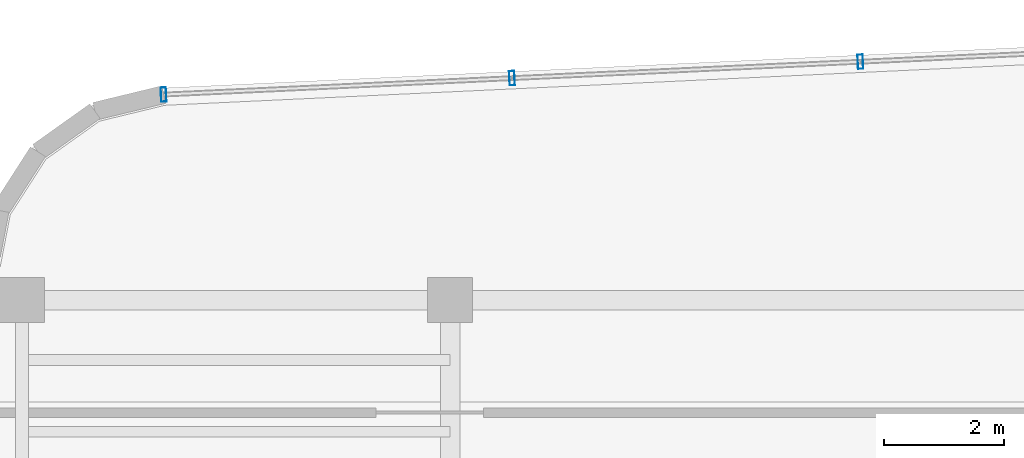
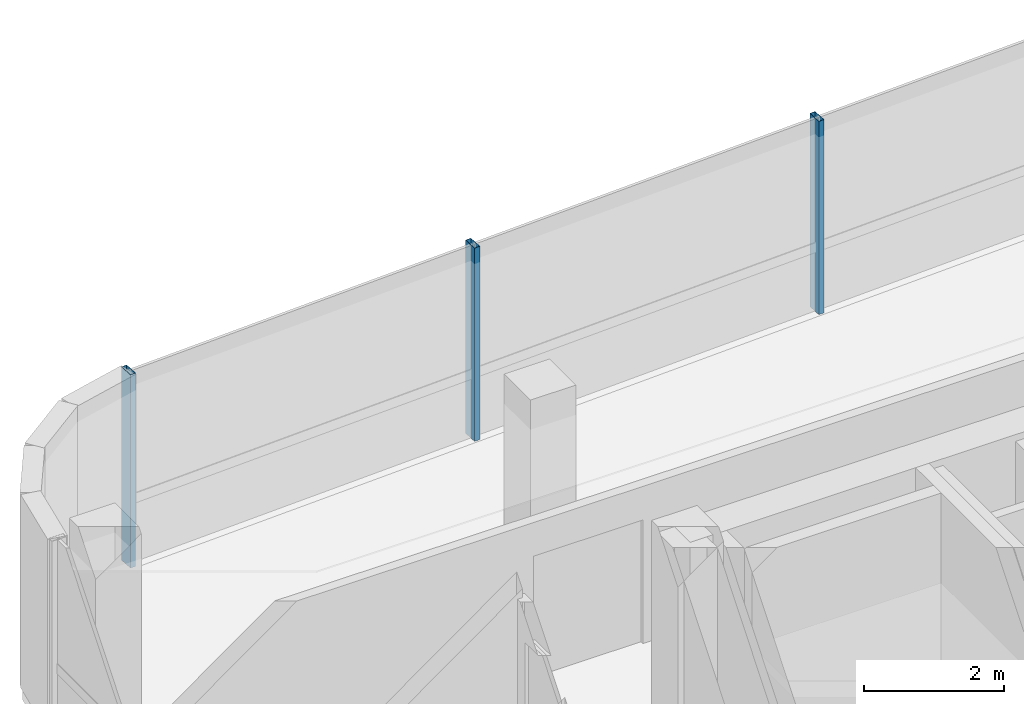
# One storey, part 9 of 17: 3 members, 1 element without a shape of its own.
"""IFC4 building model written with IfcOpenShell, lengths in metres."""

import ifcopenshell
import ifcopenshell.guid

model = None  # the IFC model being written
_history = None  # IfcOwnerHistory: only IFC2X3 demands one
_inside = {}  # id of a spatial element -> (the spatial element, [elements in it])
_under = {}  # id of a project, library or spatial element -> (it, [spatial elements below it])
_declared = {}  # id of a project -> (the project, [libraries it declares])
_typed = {}  # id of a type object -> (the type object, [elements of that type])
_made_of = {}  # id of a material, layer set ... -> (it, [elements and type objects made of it])


def new_model(schema):
    """Start an empty IFC model of exactly this schema.

    Asked for "IFC4X3", IfcOpenShell would pick the latest addendum, in which some entities
    have other attributes; the version numbers below select the first issue.
    IFC2X3 requires an IfcOwnerHistory on every rooted entity: one is made here for all.
    """
    global model, _history
    if schema == "IFC4X3":
        model = ifcopenshell.file(schema_version=(4, 3, 0, 0))
    else:
        model = ifcopenshell.file(schema=schema)
    _inside.clear()
    _under.clear()
    _declared.clear()
    _typed.clear()
    _made_of.clear()
    _history = None
    if model.schema == "IFC2X3":
        org = make("IfcOrganization", Name="unknown")
        user = make(
            "IfcPersonAndOrganization",
            ThePerson=make("IfcPerson", FamilyName="unknown"),
            TheOrganization=org,
        )
        app = make(
            "IfcApplication",
            ApplicationDeveloper=org,
            Version="unknown",
            ApplicationFullName="unknown",
            ApplicationIdentifier="unknown",
        )
        _history = make(
            "IfcOwnerHistory",
            OwningUser=user,
            OwningApplication=app,
            ChangeAction="ADDED",
            CreationDate=0,
        )
    return model


def make(cls, **values):
    """One entity of the class cls with the attributes given. An attribute that is None is left unset."""
    return model.create_entity(
        cls, **{name: value for name, value in values.items() if value is not None}
    )


def rooted(cls, **values):
    """An entity with a GlobalId (a new one), such as an element, a storey or a relation."""
    return make(cls, GlobalId=ifcopenshell.guid.new(), OwnerHistory=_history, **values)


def si_unit(unit_type, name, prefix=None):
    """IfcSIUnit, for example si_unit("LENGTHUNIT", "METRE", prefix="MILLI")."""
    return make("IfcSIUnit", UnitType=unit_type, Prefix=prefix, Name=name)


def assignment(units):
    """IfcUnitAssignment: the units of a project."""
    return None if units is None else make("IfcUnitAssignment", Units=units)


def point(xyz):
    """IfcCartesianPoint."""
    return None if xyz is None else make("IfcCartesianPoint", Coordinates=xyz)


def direction(xyz):
    """IfcDirection."""
    return None if xyz is None else make("IfcDirection", DirectionRatios=xyz)


def frame(location, z_axis=None, x_axis=None):
    """IfcAxis2Placement3D, a coordinate frame: its origin and axes. An axis left out is left unset."""
    return make(
        "IfcAxis2Placement3D",
        Location=point(location),
        Axis=direction(z_axis),
        RefDirection=direction(x_axis),
    )


def frame_2d(location, x_axis=None):
    """IfcAxis2Placement2D, a coordinate frame in the plane: its origin and x axis."""
    return make(
        "IfcAxis2Placement2D", Location=point(location), RefDirection=direction(x_axis)
    )


def origin():
    """The frame at (0, 0, 0) with its axes left unset."""
    return frame((0.0, 0.0, 0.0))


def origin_2d():
    """The frame at (0, 0) in the plane with its x axis left unset."""
    return frame_2d((0.0, 0.0))


def place(relative_to, where):
    """IfcLocalPlacement: puts the frame where relative to a parent placement (None: the world)."""
    return make(
        "IfcLocalPlacement", PlacementRelTo=relative_to, RelativePlacement=where
    )


def context(
    kind, dimensions, precision=None, world=None, true_north=None, identifier=None
):
    """IfcGeometricRepresentationContext, for example the 3D "Model" context."""
    return make(
        "IfcGeometricRepresentationContext",
        ContextIdentifier=identifier,
        ContextType=kind,
        CoordinateSpaceDimension=dimensions,
        Precision=precision,
        WorldCoordinateSystem=world,
        TrueNorth=true_north,
    )


def subcontext(parent, identifier, kind, view, scale=None):
    """IfcGeometricRepresentationSubContext, for example "Body" below "Model"."""
    return make(
        "IfcGeometricRepresentationSubContext",
        ContextIdentifier=identifier,
        ContextType=kind,
        ParentContext=parent,
        TargetScale=scale,
        TargetView=view,
    )


def project(units=None, contexts=None):
    """IfcProject with its units and contexts."""
    return rooted(
        "IfcProject",
        Name="project",
        RepresentationContexts=contexts,
        UnitsInContext=assignment(units),
    )


def spatial(cls, under=None, at=None, **own):
    """A site, building, storey or space (cls), placed at a placement, below another one or the project."""
    s = rooted(cls, ObjectPlacement=at, **own)
    if under is not None:
        _under.setdefault(under.id(), (under, []))[1].append(s)
    return s


def profile(cls, at=None, kind="AREA", **sizes):
    """A parametric profile (cls). Its sizes go by their IFC names, for example OverallWidth=200.0."""
    return make(cls, ProfileType=kind, Position=at, **sizes)


def hollow_rectangle(**sizes):
    """IfcRectangleHollowProfileDef."""
    return profile("IfcRectangleHollowProfileDef", **sizes)


def extrude(swept, where, along, depth):
    """IfcExtrudedAreaSolid: the profile swept, set in the frame where, extruded along a direction by depth."""
    return make(
        "IfcExtrudedAreaSolid",
        SweptArea=swept,
        Position=where,
        ExtrudedDirection=direction(along),
        Depth=depth,
    )


def shape(context_of_items, identifier, shape_type, items):
    """IfcShapeRepresentation: the items that make up one representation, for example the "Body"."""
    return make(
        "IfcShapeRepresentation",
        ContextOfItems=context_of_items,
        RepresentationIdentifier=identifier,
        RepresentationType=shape_type,
        Items=items,
    )


def source(mapping_origin, context_of_items, identifier, shape_type, items):
    """IfcRepresentationMap: a shape defined once, which mapped items show again and again."""
    return make(
        "IfcRepresentationMap",
        MappingOrigin=mapping_origin,
        MappedRepresentation=shape(context_of_items, identifier, shape_type, items),
    )


def transform(
    local_origin,
    x_axis=None,
    y_axis=None,
    z_axis=None,
    scale=None,
    scale2=None,
    scale3=None,
    uniform=True,
):
    """IfcCartesianTransformationOperator3D, or its non-uniform kind. x_axis, y_axis, z_axis: its Axis1, 2, 3."""
    if uniform:
        return make(
            "IfcCartesianTransformationOperator3D",
            Axis1=direction(x_axis),
            Axis2=direction(y_axis),
            LocalOrigin=point(local_origin),
            Scale=scale,
            Axis3=direction(z_axis),
        )
    return make(
        "IfcCartesianTransformationOperator3DnonUniform",
        Axis1=direction(x_axis),
        Axis2=direction(y_axis),
        LocalOrigin=point(local_origin),
        Scale=scale,
        Axis3=direction(z_axis),
        Scale2=scale2,
        Scale3=scale3,
    )


def mapped(mapping_source, mapping_target):
    """IfcMappedItem: shows the shape of a source again, moved by a transform."""
    return make(
        "IfcMappedItem", MappingSource=mapping_source, MappingTarget=mapping_target
    )


def material(Name=None, Category=None):
    """IfcMaterial."""
    return make("IfcMaterial", Name=Name, Category=Category)


def material_profile(
    of_material, cross_section, Name=None, Category=None, Priority=None
):
    """IfcMaterialProfile: a cross section and its material."""
    return make(
        "IfcMaterialProfile",
        Name=Name,
        Material=of_material,
        Profile=cross_section,
        Priority=Priority,
        Category=Category,
    )


def profile_set(profiles, Name=None, composite=None):
    """IfcMaterialProfileSet."""
    return make(
        "IfcMaterialProfileSet",
        Name=Name,
        MaterialProfiles=profiles,
        CompositeProfile=composite,
    )


def made_of(thing, what):
    """Note that an element or type object is made of a material, layer set ...; save() writes the relation."""
    if what is not None:
        _made_of.setdefault(what.id(), (what, []))[1].append(thing)
    return thing


def type_object(cls, material=None, **own):
    """A type object (cls), such as IfcWallType, which elements share."""
    return made_of(rooted(cls, **own), material)


def element(
    cls,
    number,
    at=None,
    inside=None,
    cuts=None,
    type_object=None,
    material=None,
    context=None,
    identifier="Body",
    shape_type=None,
    held_by="IfcProductDefinitionShape",
    body=None,
    shapes=None,
    **own,
):
    """One element of the class cls, such as IfcWall. Its Tag is "e" and its number.

    at: its placement. inside: the storey or other place that contains it. cuts: it is an
    opening in that element (IfcRelVoidsElement). A single representation is given by context,
    identifier, shape_type and body (its items); several are given by shapes. held_by: the class
    of the entity that holds the representations. save() writes the other relations.
    """
    e = rooted(cls, Tag="e%d" % number, ObjectPlacement=at, **own)
    if body is not None:
        shapes = [shape(context, identifier, shape_type, body)]
    if shapes is not None:
        e.Representation = make(held_by, Representations=shapes)
    if inside is not None:
        _inside.setdefault(inside.id(), (inside, []))[1].append(e)
    if cuts is not None:
        rooted(
            "IfcRelVoidsElement", RelatingBuildingElement=cuts, RelatedOpeningElement=e
        )
    if type_object is not None:
        _typed.setdefault(type_object.id(), (type_object, []))[1].append(e)
    return made_of(e, material)


def aggregate(whole, parts):
    """IfcRelAggregates: a whole, such as a stair, and the parts it consists of."""
    return rooted("IfcRelAggregates", RelatingObject=whole, RelatedObjects=parts)


def save(model, path):
    """Write the relations noted so far, then the file.

    IfcRelAggregates (storeys below a building ...), IfcRelContainedInSpatialStructure (elements
    in a storey), IfcRelDefinesByType, IfcRelAssociatesMaterial and IfcRelDeclares: one each for
    every whole, place, type object, material and project.
    """
    for whole, parts in _under.values():
        aggregate(whole, parts)
    for where, things in _inside.values():
        rooted(
            "IfcRelContainedInSpatialStructure",
            RelatedElements=things,
            RelatingStructure=where,
        )
    for kind, things in _typed.values():
        rooted("IfcRelDefinesByType", RelatedObjects=things, RelatingType=kind)
    for what, things in _made_of.values():
        rooted("IfcRelAssociatesMaterial", RelatedObjects=things, RelatingMaterial=what)
    for by, libraries in _declared.values():
        rooted("IfcRelDeclares", RelatingContext=by, RelatedDefinitions=libraries)
    model.write(path)


model = new_model("IFC4")

# Units and contexts
model_context = context("Model", 3, precision=1e-05, world=origin(), true_north=direction((0.0, 1.0)))
body_context = subcontext(model_context, "Body", "Model", "MODEL_VIEW")
ifc_project = project(units=[si_unit("LENGTHUNIT", "METRE"), si_unit("AREAUNIT", "SQUARE_METRE"), si_unit("VOLUMEUNIT", "CUBIC_METRE"), si_unit("PLANEANGLEUNIT", "RADIAN"), si_unit("MASSUNIT", "GRAM", prefix="KILO")], contexts=[model_context])

# Site, building, storey
site_placement = place(None, origin())
site = spatial("IfcSite", under=ifc_project, at=site_placement, CompositionType="ELEMENT")
building_placement = place(site_placement, origin())
building = spatial("IfcBuilding", under=site, at=building_placement, Name="Valdorenza Pilgrim Sanctuary Tower", CompositionType="ELEMENT")
storey_placement = place(building_placement, frame((0.0, 0.0, 287.0)))
storey = spatial("IfcBuildingStorey", under=building, at=storey_placement, Name="L75", CompositionType="ELEMENT", Elevation=287.0)

# Curtain wall, members
ifc_material_1 = material(Name="Curtain-wall IGU glazing", Category="glass")
curtain_wall_type = type_object("IfcCurtainWallType", Name="CW-SYS-04", PredefinedType="NOTDEFINED", material=ifc_material_1)
curtain_wall_placement = place(storey_placement, origin())
curtain_wall = element("IfcCurtainWall", 1, at=curtain_wall_placement, inside=storey, type_object=curtain_wall_type, Name="L75 Curtain Wall CW-L75-1-6", PredefinedType="NOTDEFINED")
ifc_material_2 = material(Name="Anodised aluminium AW-6060", Category="aluminium")
ifc_material_profile = material_profile(ifc_material_2, hollow_rectangle(XDim=0.090087890625, YDim=0.239990234375, WallThickness=0.0048828125, at=origin_2d()), Name="ALU-M 240x90x5")
ifc_profile_set = profile_set([ifc_material_profile], Name="Anodised aluminium AW-6060")
member_type = type_object("IfcMemberType", Name="CW-MUL-04", PredefinedType="MULLION", material=ifc_profile_set)
shared_shape = source(origin(), body_context, "Body", "SweptSolid", [
    extrude(hollow_rectangle(XDim=0.090087890625, YDim=0.239990234375, WallThickness=0.0048828125, at=origin_2d()), origin(), (0.0, 0.0, 1.0), 3.360107421875),
])
member_1_placement = place(storey_placement, frame((-27.43505859375, 18.234375, 0.0), z_axis=(0.0, 0.0, 1.0), x_axis=(0.998890696972, 0.047089016785, 0.0)))
member_1 = element("IfcMember", 2, at=member_1_placement, type_object=member_type, Name="CW-L75-1-6 Mullion 1", PredefinedType="MULLION", context=body_context, shape_type="MappedRepresentation", body=[
    mapped(shared_shape, transform((0.0, 0.0, 0.0), x_axis=(1.0, 0.0, 0.0), y_axis=(0.0, 1.0, 0.0), z_axis=(0.0, 0.0, 1.0), scale=1.0)),
])
member_2_placement = place(storey_placement, frame((-21.615478515625, 18.5087890625, 0.0), z_axis=(0.0, 0.0, 1.0), x_axis=(0.998890696972, 0.047089016785, 0.0)))
member_2 = element("IfcMember", 3, at=member_2_placement, type_object=member_type, Name="CW-L75-1-6 Mullion 2", PredefinedType="MULLION", context=body_context, shape_type="MappedRepresentation", body=[
    mapped(shared_shape, transform((0.0, 0.0, 0.0), x_axis=(1.0, 0.0, 0.0), y_axis=(0.0, 1.0, 0.0), z_axis=(0.0, 0.0, 1.0), scale=1.0)),
])
member_3_placement = place(storey_placement, frame((-15.7958984375, 18.782958984375, 0.0), z_axis=(0.0, 0.0, 1.0), x_axis=(0.998890696972, 0.047089016785, 0.0)))
member_3 = element("IfcMember", 4, at=member_3_placement, type_object=member_type, Name="CW-L75-1-6 Mullion 3", PredefinedType="MULLION", context=body_context, shape_type="MappedRepresentation", body=[
    mapped(shared_shape, transform((0.0, 0.0, 0.0), x_axis=(1.0, 0.0, 0.0), y_axis=(0.0, 1.0, 0.0), z_axis=(0.0, 0.0, 1.0), scale=1.0)),
])
aggregate(curtain_wall, [member_1, member_2, member_3])

save(model, "model.ifc")
